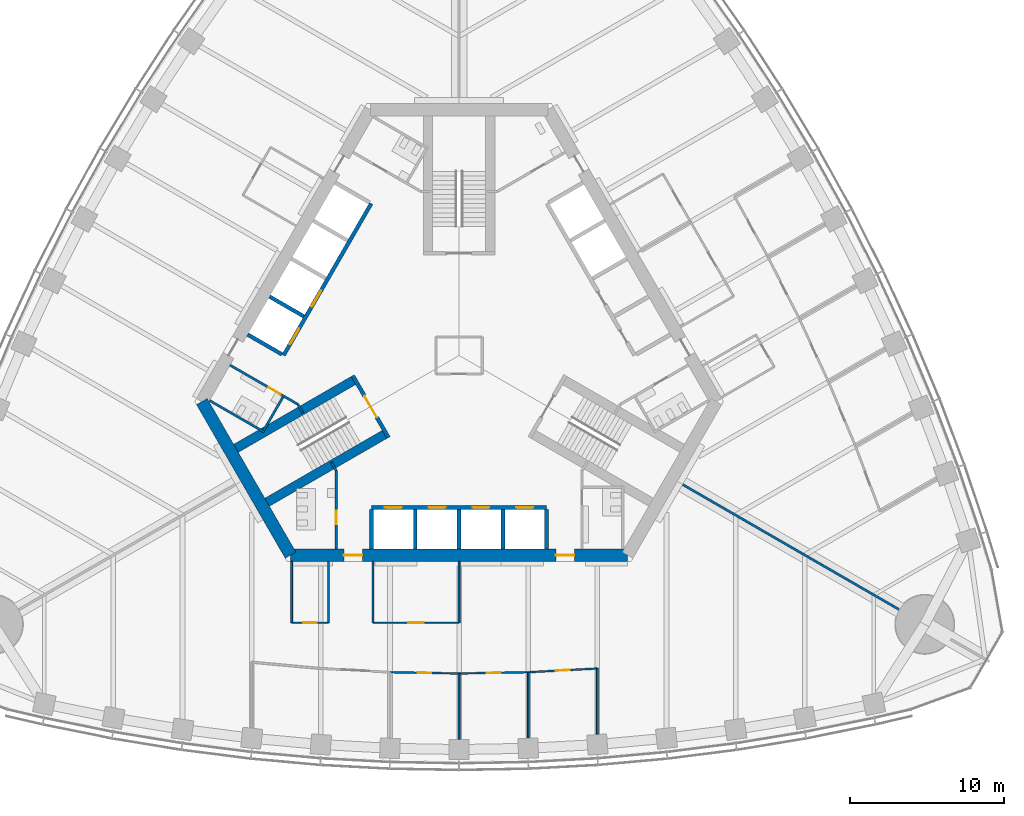
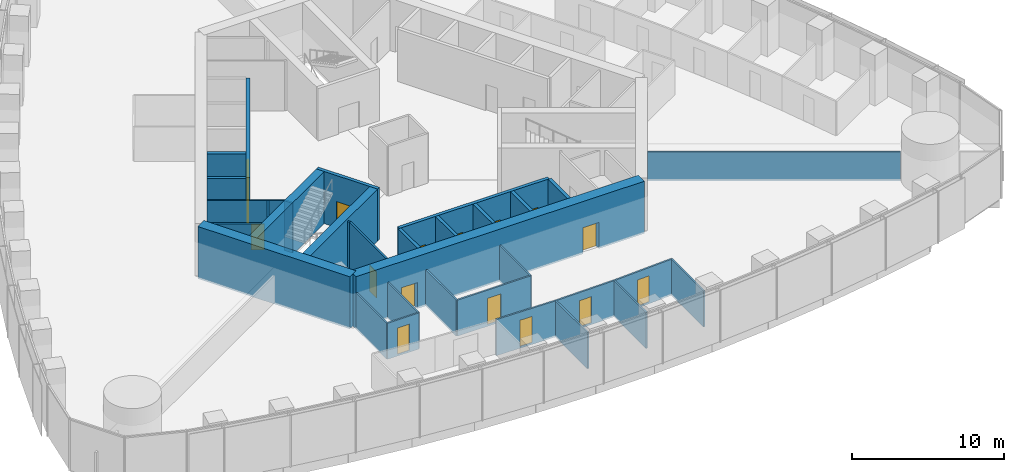
# One storey, part 12 of 19: 33 walls, 16 doors, 16 openings.
"""IFC4 building model written with IfcOpenShell, lengths in metres."""

from ifc_helpers import new_model, si_unit, direction, frame, frame_2d, origin, place, context, subcontext, project, spatial, rectangle, extrude, material, layer, layer_set, type_object, element, fill, save


model = new_model("IFC4")

# Units and contexts
model_context = context("Model", 3, precision=1e-05, world=origin(), true_north=direction((0.0, 1.0)))
body_context = subcontext(model_context, "Body", "Model", "MODEL_VIEW")
ifc_project = project(units=[si_unit("LENGTHUNIT", "METRE"), si_unit("AREAUNIT", "SQUARE_METRE"), si_unit("VOLUMEUNIT", "CUBIC_METRE"), si_unit("PLANEANGLEUNIT", "RADIAN"), si_unit("MASSUNIT", "GRAM", prefix="KILO")], contexts=[model_context])

# Site, building, storey
site_placement = place(None, origin())
site = spatial("IfcSite", under=ifc_project, at=site_placement, CompositionType="ELEMENT")
building_placement = place(site_placement, origin())
building = spatial("IfcBuilding", under=site, at=building_placement, Name="Trefoil Bronze Tower", CompositionType="ELEMENT")
storey_placement = place(building_placement, frame((0.0, 0.0, 124.10009765625)))
storey = spatial("IfcBuildingStorey", under=building, at=storey_placement, Name="L28", CompositionType="ELEMENT", Elevation=124.10009765625)

# Wall, openings, doors
ifc_material_1 = material(Name="Concrete B80", Category="concrete")
ifc_layer_1 = layer(ifc_material_1, 0.800048828125)
ifc_layer_set_1 = layer_set([ifc_layer_1], Name="Core wall 800")
wall_type_1 = type_object("IfcWallType", Name="Core wall 800", PredefinedType="SHEAR", material=ifc_layer_set_1)
wall_1_placement = place(storey_placement, frame((-10.9697265625, -13.0, 0.0), z_axis=(0.0, 0.0, 1.0), x_axis=(1.0, 0.0, 0.0)))
wall_1 = element("IfcWall", 1, at=wall_1_placement, inside=storey, type_object=wall_type_1, Name="Core long wall 1 L28", PredefinedType="SHEAR", context=body_context, shape_type="SweptSolid", body=[
    extrude(rectangle(XDim=21.939453125, YDim=0.800048828125, at=frame_2d((10.9697265625, 0.0))), origin(), (0.0, 0.0, 1.0), 4.199951171875),
])
opening_1_placement = place(wall_1_placement, frame((17.269775390625, 0.0, 0.0)))
opening_1 = element("IfcOpeningElement", 2, at=opening_1_placement, cuts=wall_1, Name="Opening D2", PredefinedType="OPENING", context=body_context, shape_type="SweptSolid", body=[
    extrude(rectangle(XDim=1.199951171875, YDim=2.10009765625, at=frame_2d((0.60009765625, 1.050048828125))), frame((0.0, 0.409912109375, 0.0), z_axis=(0.0, -1.0, 0.0), x_axis=(1.0, 0.0, 0.0)), (0.0, 0.0, 1.0), 0.820068359375),
])
opening_2_placement = place(wall_1_placement, frame((3.4697265625, 0.0, 0.0)))
opening_2 = element("IfcOpeningElement", 3, at=opening_2_placement, cuts=wall_1, Name="Opening D2", PredefinedType="OPENING", context=body_context, shape_type="SweptSolid", body=[
    extrude(rectangle(XDim=1.199951171875, YDim=2.10009765625, at=frame_2d((0.60009765625, 1.050048828125))), frame((0.0, 0.409912109375, 0.0), z_axis=(0.0, -1.0, 0.0), x_axis=(1.0, 0.0, 0.0)), (0.0, 0.0, 1.0), 0.820068359375),
])
ifc_material_2 = material(Name="Steel door", Category="steel")
door_type_1 = type_object("IfcDoorType", Name="Lobby door 1200", OperationType="SINGLE_SWING_RIGHT", PredefinedType="DOOR", material=ifc_material_2)
door_1_placement = place(opening_1_placement, origin())
door_1 = element("IfcDoor", 4, at=door_1_placement, inside=storey, type_object=door_type_1, Name="Lobby door F1+ L28", OperationType="SINGLE_SWING_RIGHT", OverallHeight=2.10009765625, OverallWidth=1.199951171875, PredefinedType="DOOR", context=body_context, shape_type="SweptSolid", body=[
    extrude(rectangle(XDim=1.199951171875, YDim=2.10009765625, at=frame_2d((0.60009765625, 1.050048828125))), frame((0.0, 0.02490234375, 0.0), z_axis=(0.0, -1.0, 0.0), x_axis=(1.0, 0.0, 0.0)), (0.0, 0.0, 1.0), 0.050048828125),
])
fill(opening_1, door_1)
door_2_placement = place(opening_2_placement, origin())
door_2 = element("IfcDoor", 5, at=door_2_placement, inside=storey, type_object=door_type_1, Name="Lobby door F1- L28", OperationType="SINGLE_SWING_LEFT", OverallHeight=2.10009765625, OverallWidth=1.199951171875, PredefinedType="DOOR", context=body_context, shape_type="SweptSolid", body=[
    extrude(rectangle(XDim=1.199951171875, YDim=2.10009765625, at=frame_2d((0.60009765625, 1.050048828125))), frame((0.0, 0.02490234375, 0.0), z_axis=(0.0, -1.0, 0.0), x_axis=(1.0, 0.0, 0.0)), (0.0, 0.0, 1.0), 0.050048828125),
])
fill(opening_2, door_2)

# Wall
wall_2_placement = place(storey_placement, frame((-16.7431640625, -3.0, 0.0), z_axis=(0.0, 0.0, 1.0), x_axis=(0.499995765644, -0.866027848477, 0.0)))
element("IfcWall", 6, at=wall_2_placement, inside=storey, type_object=wall_type_1, Name="Core short wall 3 L28", PredefinedType="SHEAR", context=body_context, shape_type="SweptSolid", body=[
    extrude(rectangle(XDim=11.546875, YDim=0.800048828125, at=frame_2d((5.7734375, 0.0))), origin(), (0.0, 0.0, 1.0), 4.199951171875),
])

# Wall, opening, door
ifc_material_3 = material(Name="Glazed partition", Category="glass")
ifc_layer_2 = layer(ifc_material_3, 0.1201171875)
ifc_layer_set_2 = layer_set([ifc_layer_2], Name="Glazed partition 120")
wall_type_2 = type_object("IfcWallType", Name="Glazed partition 120", PredefinedType="PARTITIONING", material=ifc_layer_set_2)
wall_3_placement = place(storey_placement, frame((-10.89990234375, -17.39990234375, 0.0), z_axis=(0.0, 0.0, 1.0), x_axis=(1.0, 0.0, 0.0)))
wall_3 = element("IfcWall", 7, at=wall_3_placement, inside=storey, type_object=wall_type_2, Name="Partition F1 L28", PredefinedType="PARTITIONING", context=body_context, shape_type="SweptSolid", body=[
    extrude(rectangle(XDim=2.39990234375, YDim=0.1201171875, at=frame_2d((1.199951171875, 0.0))), origin(), (0.0, 0.0, 1.0), 2.89990234375),
])
opening_3_placement = place(wall_3_placement, frame((0.75, 0.0, 0.14990234375)))
opening_3 = element("IfcOpeningElement", 8, at=opening_3_placement, cuts=wall_3, Name="Opening D8", PredefinedType="OPENING", context=body_context, shape_type="SweptSolid", body=[
    extrude(rectangle(XDim=0.89990234375, YDim=2.10009765625, at=frame_2d((0.449951171875, 1.050048828125))), frame((0.0, 0.070068359375, 0.0), z_axis=(0.0, -1.0, 0.0), x_axis=(1.0, 0.0, 0.0)), (0.0, 0.0, 1.0), 0.14013671875),
])
ifc_material_4 = material(Name="Timber door", Category="wood")
door_type_2 = type_object("IfcDoorType", Name="Office door 900", OperationType="SINGLE_SWING_LEFT", PredefinedType="DOOR", material=ifc_material_4)
door_3_placement = place(opening_3_placement, origin())
door_3 = element("IfcDoor", 9, at=door_3_placement, inside=storey, type_object=door_type_2, Name="Comms room door F1 L28", OperationType="SINGLE_SWING_LEFT", OverallHeight=2.10009765625, OverallWidth=0.89990234375, PredefinedType="DOOR", context=body_context, shape_type="SweptSolid", body=[
    extrude(rectangle(XDim=0.89990234375, YDim=2.10009765625, at=frame_2d((0.449951171875, 1.050048828125))), frame((0.0, 0.02490234375, 0.0), z_axis=(0.0, -1.0, 0.0), x_axis=(1.0, 0.0, 0.0)), (0.0, 0.0, 1.0), 0.050048828125),
])
fill(opening_3, door_3)

wall_4_placement = place(storey_placement, frame((-5.60009765625, -17.39990234375, 0.0), z_axis=(0.0, 0.0, 1.0), x_axis=(1.0, 0.0, 0.0)))
wall_4 = element("IfcWall", 10, at=wall_4_placement, inside=storey, type_object=wall_type_2, Name="Partition F1 L28", PredefinedType="PARTITIONING", context=body_context, shape_type="SweptSolid", body=[
    extrude(rectangle(XDim=5.60009765625, YDim=0.1201171875, at=frame_2d((2.800048828125, 0.0))), origin(), (0.0, 0.0, 1.0), 2.89990234375),
])
opening_4_placement = place(wall_4_placement, frame((2.300048828125, 0.0, 0.14990234375)))
opening_4 = element("IfcOpeningElement", 11, at=opening_4_placement, cuts=wall_4, Name="Opening D9", PredefinedType="OPENING", context=body_context, shape_type="SweptSolid", body=[
    extrude(rectangle(XDim=1.0, YDim=2.10009765625, at=frame_2d((0.5, 1.050048828125))), frame((0.0, 0.070068359375, 0.0), z_axis=(0.0, -1.0, 0.0), x_axis=(1.0, 0.0, 0.0)), (0.0, 0.0, 1.0), 0.14013671875),
])
ifc_material_5 = material(Name="Glazed timber door", Category="wood")
door_type_3 = type_object("IfcDoorType", Name="Meeting room door 1000", OperationType="SINGLE_SWING_LEFT", PredefinedType="DOOR", material=ifc_material_5)
door_4_placement = place(opening_4_placement, origin())
door_4 = element("IfcDoor", 12, at=door_4_placement, inside=storey, type_object=door_type_3, Name="Meeting room door F1 L28", OperationType="SINGLE_SWING_LEFT", OverallHeight=2.10009765625, OverallWidth=1.0, PredefinedType="DOOR", context=body_context, shape_type="SweptSolid", body=[
    extrude(rectangle(XDim=1.0, YDim=2.10009765625, at=frame_2d((0.5, 1.050048828125))), frame((0.0, 0.02490234375, 0.0), z_axis=(0.0, -1.0, 0.0), x_axis=(1.0, 0.0, 0.0)), (0.0, 0.0, 1.0), 0.050048828125),
])
fill(opening_4, door_4)

# Walls
for number, where, z_axis, x_axis, name in (
    (13, (0.0, -13.39990234375, 0.0), (0.0, 0.0, 1.0), (0.0, -1.0, 0.0), "Partition F1 L28"),
    (14, (-10.89990234375, -13.39990234375, 0.0), (0.0, 0.0, 1.0), (0.0, -1.0, 0.0), "Partition F1 L28"),
    (15, (-5.60009765625, -13.39990234375, 0.0), (0.0, 0.0, 1.0), (0.0, -1.0, 0.0), "Partition F1 L28"),
    (16, (-8.5, -13.39990234375, 0.0), (0.0, 0.0, 1.0), (0.0, -1.0, 0.0), "Partition F1 L28"),
):
    element("IfcWall", number, at=place(storey_placement, frame(where, z_axis=z_axis, x_axis=x_axis)), inside=storey, type_object=wall_type_2, Name=name, PredefinedType="PARTITIONING", context=body_context, shape_type="SweptSolid", body=[
        extrude(rectangle(XDim=4.0, YDim=0.1201171875, at=frame_2d((2.0, 0.0))), origin(), (0.0, 0.0, 1.0), 2.89990234375),
    ])

# Wall, opening, door
wall_5_placement = place(storey_placement, frame((0.0, -20.69970703125, 0.0), z_axis=(0.0, 0.0, 1.0), x_axis=(0.999837820638, 0.018009231578, 0.0)))
wall_5 = element("IfcWall", 17, at=wall_5_placement, inside=storey, type_object=wall_type_2, Name="Partition F1 L28", PredefinedType="PARTITIONING", context=body_context, shape_type="SweptSolid", body=[
    extrude(rectangle(XDim=4.500732421875, YDim=0.1201171875, at=frame_2d((2.25048828125, 0.0))), origin(), (0.0, 0.0, 1.0), 2.89990234375),
])
opening_5_placement = place(wall_5_placement, frame((1.800048828125, 0.0, 0.14990234375)))
opening_5 = element("IfcOpeningElement", 18, at=opening_5_placement, cuts=wall_5, Name="Opening D8", PredefinedType="OPENING", context=body_context, shape_type="SweptSolid", body=[
    extrude(rectangle(XDim=0.89990234375, YDim=2.10009765625, at=frame_2d((0.449951171875, 1.050048828125))), frame((0.0, 0.070068359375, 0.0), z_axis=(0.0, -1.0, 0.0), x_axis=(1.0, 0.0, 0.0)), (0.0, 0.0, 1.0), 0.14013671875),
])
door_5_placement = place(opening_5_placement, frame((0.89990234375, 0.0, 0.0), z_axis=(0.0, 0.0, 1.0), x_axis=(-1.0, 0.0, 0.0)))
door_5 = element("IfcDoor", 19, at=door_5_placement, inside=storey, type_object=door_type_2, Name="Office door F1 L28", OperationType="SINGLE_SWING_RIGHT", OverallHeight=2.10009765625, OverallWidth=0.89990234375, PredefinedType="DOOR", context=body_context, shape_type="SweptSolid", body=[
    extrude(rectangle(XDim=0.89990234375, YDim=2.10009765625, at=frame_2d((0.449951171875, 1.050048828125))), frame((0.0, 0.02490234375, 0.0), z_axis=(0.0, -1.0, 0.0), x_axis=(1.0, 0.0, 0.0)), (0.0, 0.0, 1.0), 0.050048828125),
])
fill(opening_5, door_5)

wall_6_placement = place(storey_placement, frame((4.5, -20.61865234375, 0.0), z_axis=(0.0, 0.0, 1.0), x_axis=(0.998537376538, 0.054065771581, 0.0)))
wall_6 = element("IfcWall", 20, at=wall_6_placement, inside=storey, type_object=wall_type_2, Name="Partition F1 L28", PredefinedType="PARTITIONING", context=body_context, shape_type="SweptSolid", body=[
    extrude(rectangle(XDim=4.506591796875, YDim=0.1201171875, at=frame_2d((2.25341796875, 0.0))), origin(), (0.0, 0.0, 1.0), 2.89990234375),
])
opening_6_placement = place(wall_6_placement, frame((1.800048828125, 0.0, 0.14990234375)))
opening_6 = element("IfcOpeningElement", 21, at=opening_6_placement, cuts=wall_6, Name="Opening D8", PredefinedType="OPENING", context=body_context, shape_type="SweptSolid", body=[
    extrude(rectangle(XDim=0.89990234375, YDim=2.10009765625, at=frame_2d((0.449951171875, 1.050048828125))), frame((0.0, 0.070068359375, 0.0), z_axis=(0.0, -1.0, 0.0), x_axis=(1.0, 0.0, 0.0)), (0.0, 0.0, 1.0), 0.14013671875),
])
door_6_placement = place(opening_6_placement, frame((0.89990234375, 0.0, 0.0), z_axis=(0.0, 0.0, 1.0), x_axis=(-1.0, 0.0, 0.0)))
door_6 = element("IfcDoor", 22, at=door_6_placement, inside=storey, type_object=door_type_2, Name="Office door F1 L28", OperationType="SINGLE_SWING_RIGHT", OverallHeight=2.10009765625, OverallWidth=0.89990234375, PredefinedType="DOOR", context=body_context, shape_type="SweptSolid", body=[
    extrude(rectangle(XDim=0.89990234375, YDim=2.10009765625, at=frame_2d((0.449951171875, 1.050048828125))), frame((0.0, 0.02490234375, 0.0), z_axis=(0.0, -1.0, 0.0), x_axis=(1.0, 0.0, 0.0)), (0.0, 0.0, 1.0), 0.050048828125),
])
fill(opening_6, door_6)

wall_7_placement = place(storey_placement, frame((-4.5, -20.61865234375, 0.0), z_axis=(0.0, 0.0, 1.0), x_axis=(0.999837820638, -0.018009231578, 0.0)))
wall_7 = element("IfcWall", 23, at=wall_7_placement, inside=storey, type_object=wall_type_2, Name="Partition F1 L28", PredefinedType="PARTITIONING", context=body_context, shape_type="SweptSolid", body=[
    extrude(rectangle(XDim=4.500732421875, YDim=0.1201171875, at=frame_2d((2.25048828125, 0.0))), origin(), (0.0, 0.0, 1.0), 2.89990234375),
])
opening_7_placement = place(wall_7_placement, frame((1.800048828125, 0.0, 0.14990234375)))
opening_7 = element("IfcOpeningElement", 24, at=opening_7_placement, cuts=wall_7, Name="Opening D8", PredefinedType="OPENING", context=body_context, shape_type="SweptSolid", body=[
    extrude(rectangle(XDim=0.89990234375, YDim=2.10009765625, at=frame_2d((0.449951171875, 1.050048828125))), frame((0.0, 0.070068359375, 0.0), z_axis=(0.0, -1.0, 0.0), x_axis=(1.0, 0.0, 0.0)), (0.0, 0.0, 1.0), 0.14013671875),
])
door_7_placement = place(opening_7_placement, frame((0.89990234375, 0.0, 0.0), z_axis=(0.0, 0.0, 1.0), x_axis=(-1.0, 0.0, 0.0)))
door_7 = element("IfcDoor", 25, at=door_7_placement, inside=storey, type_object=door_type_2, Name="Office door F1 L28", OperationType="SINGLE_SWING_RIGHT", OverallHeight=2.10009765625, OverallWidth=0.89990234375, PredefinedType="DOOR", context=body_context, shape_type="SweptSolid", body=[
    extrude(rectangle(XDim=0.89990234375, YDim=2.10009765625, at=frame_2d((0.449951171875, 1.050048828125))), frame((0.0, 0.02490234375, 0.0), z_axis=(0.0, -1.0, 0.0), x_axis=(1.0, 0.0, 0.0)), (0.0, 0.0, 1.0), 0.050048828125),
])
fill(opening_7, door_7)

# Walls
wall_8_placement = place(storey_placement, frame((0.0, -20.69970703125, 0.0), z_axis=(0.0, 0.0, 1.0), x_axis=(0.0, -1.0, 0.0)))
element("IfcWall", 26, at=wall_8_placement, inside=storey, type_object=wall_type_2, Name="Partition F1 L28", PredefinedType="PARTITIONING", context=body_context, shape_type="SweptSolid", body=[
    extrude(rectangle(XDim=4.27001953125, YDim=0.1201171875, at=frame_2d((2.135009765625, 0.0))), origin(), (0.0, 0.0, 1.0), 2.89990234375),
])
wall_9_placement = place(storey_placement, frame((4.5, -20.61865234375, 0.0), z_axis=(0.0, 0.0, 1.0), x_axis=(0.0, -1.0, 0.0)))
element("IfcWall", 27, at=wall_9_placement, inside=storey, type_object=wall_type_2, Name="Partition F1 L28", PredefinedType="PARTITIONING", context=body_context, shape_type="SweptSolid", body=[
    extrude(rectangle(XDim=4.26904296875, YDim=0.1201171875, at=frame_2d((2.134521484375, 0.0))), origin(), (0.0, 0.0, 1.0), 2.89990234375),
])
wall_10_placement = place(storey_placement, frame((9.0, -20.375, 0.0), z_axis=(0.0, 0.0, 1.0), x_axis=(0.0, -1.0, 0.0)))
element("IfcWall", 28, at=wall_10_placement, inside=storey, type_object=wall_type_2, Name="Partition F1 L28", PredefinedType="PARTITIONING", context=body_context, shape_type="SweptSolid", body=[
    extrude(rectangle(XDim=4.26611328125, YDim=0.1201171875, at=frame_2d((2.133056640625, 0.0))), origin(), (0.0, 0.0, 1.0), 2.89990234375),
])

# Wall, opening, door
ifc_material_6 = material(Name="Gypsum board on steel studs", Category="steel")
ifc_layer_3 = layer(ifc_material_6, 0.14990234375)
ifc_layer_set_3 = layer_set([ifc_layer_3], Name="Partition 150")
wall_type_3 = type_object("IfcWallType", Name="Partition 150", PredefinedType="PARTITIONING", material=ifc_layer_set_3)
wall_11_placement = place(storey_placement, frame((-8.0, -7.5, 0.0), z_axis=(0.0, 0.0, 1.0), x_axis=(0.0, -1.0, 0.0)))
wall_11 = element("IfcWall", 29, at=wall_11_placement, inside=storey, type_object=wall_type_3, Name="Passage wall F1- L28", PredefinedType="PARTITIONING", context=body_context, shape_type="SweptSolid", body=[
    extrude(rectangle(XDim=5.10009765625, YDim=0.14990234375, at=frame_2d((2.550048828125, 0.0))), origin(), (0.0, 0.0, 1.0), 4.0),
])
opening_8_placement = place(wall_11_placement, frame((2.60009765625, 0.0, 0.0)))
opening_8 = element("IfcOpeningElement", 30, at=opening_8_placement, cuts=wall_11, Name="Opening D3", PredefinedType="OPENING", context=body_context, shape_type="SweptSolid", body=[
    extrude(rectangle(XDim=0.89990234375, YDim=2.10009765625, at=frame_2d((0.449951171875, 1.050048828125))), frame((0.0, 0.0849609375, 0.0), z_axis=(0.0, -1.0, 0.0), x_axis=(1.0, 0.0, 0.0)), (0.0, 0.0, 1.0), 0.169921875),
])
ifc_material_7 = material(Name="Timber door", Category="wood")
door_type_4 = type_object("IfcDoorType", Name="WC door 900", OperationType="SINGLE_SWING_LEFT", PredefinedType="DOOR", material=ifc_material_7)
door_8_placement = place(opening_8_placement, frame((0.89990234375, 0.0, 0.0), z_axis=(0.0, 0.0, 1.0), x_axis=(-1.0, 0.0, 0.0)))
door_8 = element("IfcDoor", 31, at=door_8_placement, inside=storey, type_object=door_type_4, Name="WC (women) door L28", OperationType="SINGLE_SWING_LEFT", OverallHeight=2.10009765625, OverallWidth=0.89990234375, PredefinedType="DOOR", context=body_context, shape_type="SweptSolid", body=[
    extrude(rectangle(XDim=0.89990234375, YDim=2.10009765625, at=frame_2d((0.449951171875, 1.050048828125))), frame((0.0, 0.02490234375, 0.0), z_axis=(0.0, -1.0, 0.0), x_axis=(1.0, 0.0, 0.0)), (0.0, 0.0, 1.0), 0.050048828125),
])
fill(opening_8, door_8)

wall_12_placement = place(storey_placement, frame((-10.4951171875, -3.17822265625, 0.0), z_axis=(0.0, 0.0, 1.0), x_axis=(-0.86602216432, 0.500005610874, 0.0)))
wall_12 = element("IfcWall", 32, at=wall_12_placement, inside=storey, type_object=wall_type_3, Name="Passage wall F3+ L28", PredefinedType="PARTITIONING", context=body_context, shape_type="SweptSolid", body=[
    extrude(rectangle(XDim=5.10009765625, YDim=0.14990234375, at=frame_2d((2.550048828125, 0.0))), origin(), (0.0, 0.0, 1.0), 4.0),
])
opening_9_placement = place(wall_12_placement, frame((1.300048828125, 0.0, 0.0)))
opening_9 = element("IfcOpeningElement", 33, at=opening_9_placement, cuts=wall_12, Name="Opening D3", PredefinedType="OPENING", context=body_context, shape_type="SweptSolid", body=[
    extrude(rectangle(XDim=0.89990234375, YDim=2.10009765625, at=frame_2d((0.449951171875, 1.050048828125))), frame((0.0, 0.0849609375, 0.0), z_axis=(0.0, -1.0, 0.0), x_axis=(1.0, 0.0, 0.0)), (0.0, 0.0, 1.0), 0.169921875),
])
door_9_placement = place(opening_9_placement, origin())
door_9 = element("IfcDoor", 34, at=door_9_placement, inside=storey, type_object=door_type_4, Name="WC (men) door L28", OperationType="SINGLE_SWING_LEFT", OverallHeight=2.10009765625, OverallWidth=0.89990234375, PredefinedType="DOOR", context=body_context, shape_type="SweptSolid", body=[
    extrude(rectangle(XDim=0.89990234375, YDim=2.10009765625, at=frame_2d((0.449951171875, 1.050048828125))), frame((0.0, 0.02490234375, 0.0), z_axis=(0.0, -1.0, 0.0), x_axis=(1.0, 0.0, 0.0)), (0.0, 0.0, 1.0), 0.050048828125),
])
fill(opening_9, door_9)

# Walls
for number, where, z_axis, x_axis, name in (
    (35, (-10.4951171875, -3.17822265625, 0.0), (0.0, 0.0, 1.0), (0.499842556608, -0.866116284689, 0.0), "WC wall ST3-1 L28"),
    (36, (-8.0, -7.5, 0.0), (0.0, 0.0, 1.0), (-0.499842556608, 0.866116284689, 0.0), "WC wall ST3+1 L28"),
):
    element("IfcWall", number, at=place(storey_placement, frame(where, z_axis=z_axis, x_axis=x_axis)), inside=storey, type_object=wall_type_3, Name=name, PredefinedType="PARTITIONING", context=body_context, shape_type="SweptSolid", body=[
        extrude(rectangle(XDim=0.645263671875, YDim=0.14990234375, at=frame_2d((0.32275390625, 0.0))), origin(), (0.0, 0.0, 1.0), 4.0),
    ])
wall_13_placement = place(storey_placement, frame((-12.691162109375, -4.98193359375, 0.0), z_axis=(0.0, 0.0, 1.0), x_axis=(-0.8660249478, 0.500000789788, 0.0)))
element("IfcWall", 37, at=wall_13_placement, inside=storey, type_object=wall_type_3, Name="WC partition WC (men) L28", PredefinedType="PARTITIONING", context=body_context, shape_type="SweptSolid", body=[
    extrude(rectangle(XDim=4.10009765625, YDim=0.14990234375, at=frame_2d((2.050048828125, 0.0))), origin(), (0.0, 0.0, 1.0), 4.0),
])
wall_14_placement = place(storey_placement, frame((-11.463623046875, -2.70556640625, 0.0), z_axis=(0.0, 0.0, 1.0), x_axis=(-0.50001992892, -0.866013897511, 0.0)))
element("IfcWall", 38, at=wall_14_placement, inside=storey, type_object=wall_type_3, Name="WC partition WC (men) L28", PredefinedType="PARTITIONING", context=body_context, shape_type="SweptSolid", body=[
    extrude(rectangle(XDim=2.51025390625, YDim=0.14990234375, at=frame_2d((1.255126953125, 0.0))), origin(), (0.0, 0.0, 1.0), 4.0),
])
ifc_material_8 = material(Name="Gypsum board on steel studs", Category="steel")
ifc_layer_4 = layer(ifc_material_8, 0.14990234375)
ifc_layer_set_4 = layer_set([ifc_layer_4], Name="Party wall 150")
wall_type_4 = type_object("IfcWallType", Name="Party wall 150", PredefinedType="PARTITIONING", material=ifc_layer_set_4)
wall_15_placement = place(storey_placement, frame((14.202880859375, -8.199951171875, 0.0), z_axis=(0.0, 0.0, 1.0), x_axis=(0.866024668836, -0.500001272966, 0.0)))
element("IfcWall", 39, at=wall_15_placement, inside=storey, type_object=wall_type_4, Name="Party wall K1 L28", PredefinedType="PARTITIONING", context=body_context, shape_type="SweptSolid", body=[
    extrude(rectangle(XDim=16.64990234375, YDim=0.14990234375, at=frame_2d((8.324951171875, 0.0))), origin(), (0.0, 0.0, 1.0), 2.2998046875),
])

# Wall, openings, doors
ifc_material_9 = material(Name="Concrete B80", Category="concrete")
ifc_layer_5 = layer(ifc_material_9, 0.25)
ifc_layer_set_5 = layer_set([ifc_layer_5], Name="Shaft wall 250")
wall_type_5 = type_object("IfcWallType", Name="Shaft wall 250", PredefinedType="SHEAR", material=ifc_layer_set_5)
wall_16_placement = place(storey_placement, frame((-5.699951171875, -9.89990234375, 0.0), z_axis=(0.0, 0.0, 1.0), x_axis=(1.0, 0.0, 0.0)))
wall_16 = element("IfcWall", 40, at=wall_16_placement, inside=storey, type_object=wall_type_5, Name="Lift shaft front wall A L28", PredefinedType="SHEAR", context=body_context, shape_type="SweptSolid", body=[
    extrude(rectangle(XDim=11.39990234375, YDim=0.25, at=frame_2d((5.699951171875, 0.0))), origin(), (0.0, 0.0, 1.0), 4.199951171875),
])
opening_10_placement = place(wall_16_placement, frame((0.875, 0.0, 0.0)))
opening_10 = element("IfcOpeningElement", 41, at=opening_10_placement, cuts=wall_16, Name="Opening LD-P21", PredefinedType="OPENING", context=body_context, shape_type="SweptSolid", body=[
    extrude(rectangle(XDim=1.10009765625, YDim=2.199951171875, at=frame_2d((0.550048828125, 1.10009765625))), frame((0.0, 0.135009765625, 0.0), z_axis=(0.0, -1.0, 0.0), x_axis=(1.0, 0.0, 0.0)), (0.0, 0.0, 1.0), 0.27001953125),
])
opening_11_placement = place(wall_16_placement, frame((3.72509765625, 0.0, 0.0)))
opening_11 = element("IfcOpeningElement", 42, at=opening_11_placement, cuts=wall_16, Name="Opening LD-P22", PredefinedType="OPENING", context=body_context, shape_type="SweptSolid", body=[
    extrude(rectangle(XDim=1.10009765625, YDim=2.199951171875, at=frame_2d((0.550048828125, 1.10009765625))), frame((0.0, 0.135009765625, 0.0), z_axis=(0.0, -1.0, 0.0), x_axis=(1.0, 0.0, 0.0)), (0.0, 0.0, 1.0), 0.27001953125),
])
opening_12_placement = place(wall_16_placement, frame((6.574951171875, 0.0, 0.0)))
opening_12 = element("IfcOpeningElement", 43, at=opening_12_placement, cuts=wall_16, Name="Opening LD-P23", PredefinedType="OPENING", context=body_context, shape_type="SweptSolid", body=[
    extrude(rectangle(XDim=1.10009765625, YDim=2.199951171875, at=frame_2d((0.550048828125, 1.10009765625))), frame((0.0, 0.135009765625, 0.0), z_axis=(0.0, -1.0, 0.0), x_axis=(1.0, 0.0, 0.0)), (0.0, 0.0, 1.0), 0.27001953125),
])
opening_13_placement = place(wall_16_placement, frame((9.425048828125, 0.0, 0.0)))
opening_13 = element("IfcOpeningElement", 44, at=opening_13_placement, cuts=wall_16, Name="Opening LD-P24", PredefinedType="OPENING", context=body_context, shape_type="SweptSolid", body=[
    extrude(rectangle(XDim=1.10009765625, YDim=2.199951171875, at=frame_2d((0.550048828125, 1.10009765625))), frame((0.0, 0.135009765625, 0.0), z_axis=(0.0, -1.0, 0.0), x_axis=(1.0, 0.0, 0.0)), (0.0, 0.0, 1.0), 0.27001953125),
])
ifc_material_10 = material(Name="Steel door", Category="steel")
door_type_5 = type_object("IfcDoorType", Name="Lift landing door 1100", OperationType="DOUBLE_DOOR_SLIDING", PredefinedType="DOOR", material=ifc_material_10)
door_10_placement = place(opening_10_placement, origin())
door_10 = element("IfcDoor", 45, at=door_10_placement, inside=storey, type_object=door_type_5, Name="Lift P21 landing door L28", OperationType="DOUBLE_DOOR_SLIDING", OverallHeight=2.199951171875, OverallWidth=1.10009765625, PredefinedType="DOOR", context=body_context, shape_type="SweptSolid", body=[
    extrude(rectangle(XDim=1.10009765625, YDim=2.199951171875, at=frame_2d((0.550048828125, 1.10009765625))), frame((0.0, 0.02490234375, 0.0), z_axis=(0.0, -1.0, 0.0), x_axis=(1.0, 0.0, 0.0)), (0.0, 0.0, 1.0), 0.050048828125),
])
fill(opening_10, door_10)
door_11_placement = place(opening_11_placement, origin())
door_11 = element("IfcDoor", 46, at=door_11_placement, inside=storey, type_object=door_type_5, Name="Lift P22 landing door L28", OperationType="DOUBLE_DOOR_SLIDING", OverallHeight=2.199951171875, OverallWidth=1.10009765625, PredefinedType="DOOR", context=body_context, shape_type="SweptSolid", body=[
    extrude(rectangle(XDim=1.10009765625, YDim=2.199951171875, at=frame_2d((0.550048828125, 1.10009765625))), frame((0.0, 0.02490234375, 0.0), z_axis=(0.0, -1.0, 0.0), x_axis=(1.0, 0.0, 0.0)), (0.0, 0.0, 1.0), 0.050048828125),
])
fill(opening_11, door_11)
door_12_placement = place(opening_12_placement, origin())
door_12 = element("IfcDoor", 47, at=door_12_placement, inside=storey, type_object=door_type_5, Name="Lift P23 landing door L28", OperationType="DOUBLE_DOOR_SLIDING", OverallHeight=2.199951171875, OverallWidth=1.10009765625, PredefinedType="DOOR", context=body_context, shape_type="SweptSolid", body=[
    extrude(rectangle(XDim=1.10009765625, YDim=2.199951171875, at=frame_2d((0.550048828125, 1.10009765625))), frame((0.0, 0.02490234375, 0.0), z_axis=(0.0, -1.0, 0.0), x_axis=(1.0, 0.0, 0.0)), (0.0, 0.0, 1.0), 0.050048828125),
])
fill(opening_12, door_12)
door_13_placement = place(opening_13_placement, origin())
door_13 = element("IfcDoor", 48, at=door_13_placement, inside=storey, type_object=door_type_5, Name="Lift P24 landing door L28", OperationType="DOUBLE_DOOR_SLIDING", OverallHeight=2.199951171875, OverallWidth=1.10009765625, PredefinedType="DOOR", context=body_context, shape_type="SweptSolid", body=[
    extrude(rectangle(XDim=1.10009765625, YDim=2.199951171875, at=frame_2d((0.550048828125, 1.10009765625))), frame((0.0, 0.02490234375, 0.0), z_axis=(0.0, -1.0, 0.0), x_axis=(1.0, 0.0, 0.0)), (0.0, 0.0, 1.0), 0.050048828125),
])
fill(opening_13, door_13)

# Walls
for number, where, z_axis, x_axis, name in (
    (49, (-5.699951171875, -10.02490234375, 0.0), (0.0, 0.0, 1.0), (0.0, -1.0, 0.0), "Lift shaft side wall A0 L28"),
    (50, (-2.85009765625, -10.02490234375, 0.0), (0.0, 0.0, 1.0), (0.0, -1.0, 0.0), "Lift shaft side wall A1 L28"),
    (51, (0.0, -10.02490234375, 0.0), (0.0, 0.0, 1.0), (0.0, -1.0, 0.0), "Lift shaft side wall A2 L28"),
    (52, (2.85009765625, -10.02490234375, 0.0), (0.0, 0.0, 1.0), (0.0, -1.0, 0.0), "Lift shaft side wall A3 L28"),
    (53, (5.699951171875, -10.02490234375, 0.0), (0.0, 0.0, 1.0), (0.0, -1.0, 0.0), "Lift shaft side wall A4 L28"),
):
    element("IfcWall", number, at=place(storey_placement, frame(where, z_axis=z_axis, x_axis=x_axis)), inside=storey, type_object=wall_type_5, Name=name, PredefinedType="SHEAR", context=body_context, shape_type="SweptSolid", body=[
        extrude(rectangle(XDim=2.5751953125, YDim=0.25, at=frame_2d((1.28759765625, 0.0))), origin(), (0.0, 0.0, 1.0), 4.199951171875),
    ])

# Wall, openings, doors
wall_17_placement = place(storey_placement, frame((-5.7236328125, 9.88623046875, 0.0), z_axis=(0.0, 0.0, 1.0), x_axis=(-0.500001763848, -0.866024385424, 0.0)))
wall_17 = element("IfcWall", 54, at=wall_17_placement, inside=storey, type_object=wall_type_5, Name="Lift shaft front wall C L28", PredefinedType="SHEAR", context=body_context, shape_type="SweptSolid", body=[
    extrude(rectangle(XDim=11.39990234375, YDim=0.25, at=frame_2d((5.699951171875, 0.0))), origin(), (0.0, 0.0, 1.0), 4.199951171875),
])
opening_14_placement = place(wall_17_placement, frame((6.52490234375, 0.0, 0.0)))
opening_14 = element("IfcOpeningElement", 55, at=opening_14_placement, cuts=wall_17, Name="Opening LD-FL1", PredefinedType="OPENING", context=body_context, shape_type="SweptSolid", body=[
    extrude(rectangle(XDim=1.199951171875, YDim=2.199951171875, at=frame_2d((0.60009765625, 1.10009765625))), frame((0.0, 0.135009765625, 0.0), z_axis=(0.0, -1.0, 0.0), x_axis=(1.0, 0.0, 0.0)), (0.0, 0.0, 1.0), 0.27001953125),
])
opening_15_placement = place(wall_17_placement, frame((9.375, 0.0, 0.0)))
opening_15 = element("IfcOpeningElement", 56, at=opening_15_placement, cuts=wall_17, Name="Opening LD-FL2", PredefinedType="OPENING", context=body_context, shape_type="SweptSolid", body=[
    extrude(rectangle(XDim=1.199951171875, YDim=2.199951171875, at=frame_2d((0.60009765625, 1.10009765625))), frame((0.0, 0.135009765625, 0.0), z_axis=(0.0, -1.0, 0.0), x_axis=(1.0, 0.0, 0.0)), (0.0, 0.0, 1.0), 0.27001953125),
])
ifc_material_11 = material(Name="Steel door", Category="steel")
door_type_6 = type_object("IfcDoorType", Name="Lift landing door 1200", OperationType="DOUBLE_DOOR_SLIDING", PredefinedType="DOOR", material=ifc_material_11)
door_14_placement = place(opening_14_placement, origin())
door_14 = element("IfcDoor", 57, at=door_14_placement, inside=storey, type_object=door_type_6, Name="Lift FL1 landing door L28", OperationType="DOUBLE_DOOR_SLIDING", OverallHeight=2.199951171875, OverallWidth=1.199951171875, PredefinedType="DOOR", context=body_context, shape_type="SweptSolid", body=[
    extrude(rectangle(XDim=1.199951171875, YDim=2.199951171875, at=frame_2d((0.60009765625, 1.10009765625))), frame((0.0, 0.02490234375, 0.0), z_axis=(0.0, -1.0, 0.0), x_axis=(1.0, 0.0, 0.0)), (0.0, 0.0, 1.0), 0.050048828125),
])
fill(opening_14, door_14)
door_15_placement = place(opening_15_placement, origin())
door_15 = element("IfcDoor", 58, at=door_15_placement, inside=storey, type_object=door_type_6, Name="Lift FL2 landing door L28", OperationType="DOUBLE_DOOR_SLIDING", OverallHeight=2.199951171875, OverallWidth=1.199951171875, PredefinedType="DOOR", context=body_context, shape_type="SweptSolid", body=[
    extrude(rectangle(XDim=1.199951171875, YDim=2.199951171875, at=frame_2d((0.60009765625, 1.10009765625))), frame((0.0, 0.02490234375, 0.0), z_axis=(0.0, -1.0, 0.0), x_axis=(1.0, 0.0, 0.0)), (0.0, 0.0, 1.0), 0.050048828125),
])
fill(opening_15, door_15)

# Walls
for number, where, z_axis, x_axis, name in (
    (59, (-10.10693359375, 2.54443359375, 0.0), (0.0, 0.0, 1.0), (-0.866046643894, 0.499963209246, 0.0), "Lift shaft side wall C3 L28"),
    (60, (-11.531982421875, 0.076171875, 0.0), (0.0, 0.0, 1.0), (-0.866005588531, 0.500034319456, 0.0), "Lift shaft side wall C4 L28"),
):
    element("IfcWall", number, at=place(storey_placement, frame(where, z_axis=z_axis, x_axis=x_axis)), inside=storey, type_object=wall_type_5, Name=name, PredefinedType="SHEAR", context=body_context, shape_type="SweptSolid", body=[
        extrude(rectangle(XDim=2.574951171875, YDim=0.25, at=frame_2d((1.28759765625, 0.0))), origin(), (0.0, 0.0, 1.0), 4.199951171875),
    ])

# Wall, opening, door
wall_18_placement = place(storey_placement, frame((-6.921630859375, -1.3115234375, 0.0), z_axis=(0.0, 0.0, 1.0), x_axis=(0.499984536904, -0.866034331223, 0.0)))
wall_18 = element("IfcWall", 61, at=wall_18_placement, inside=storey, type_object=wall_type_5, Name="Stair end wall ST3 L28", PredefinedType="SHEAR", context=body_context, shape_type="SweptSolid", body=[
    extrude(rectangle(XDim=4.650146484375, YDim=0.25, at=frame_2d((2.3251953125, 0.0))), origin(), (0.0, 0.0, 1.0), 4.199951171875),
])
opening_16_placement = place(wall_18_placement, frame((1.52490234375, 0.0, 0.0)))
opening_16 = element("IfcOpeningElement", 62, at=opening_16_placement, cuts=wall_18, Name="Opening D1", PredefinedType="OPENING", context=body_context, shape_type="SweptSolid", body=[
    extrude(rectangle(XDim=1.60009765625, YDim=2.10009765625, at=frame_2d((0.800048828125, 1.050048828125))), frame((0.0, 0.135009765625, 0.0), z_axis=(0.0, -1.0, 0.0), x_axis=(1.0, 0.0, 0.0)), (0.0, 0.0, 1.0), 0.27001953125),
])
ifc_material_12 = material(Name="Steel door", Category="steel")
door_type_7 = type_object("IfcDoorType", Name="Stair door 1600", OperationType="DOUBLE_DOOR_SINGLE_SWING", PredefinedType="DOOR", material=ifc_material_12)
door_16_placement = place(opening_16_placement, frame((1.60009765625, 0.0, 0.0), z_axis=(0.0, 0.0, 1.0), x_axis=(-1.0, 0.0, 0.0)))
door_16 = element("IfcDoor", 63, at=door_16_placement, inside=storey, type_object=door_type_7, Name="Stair door ST3 L28", OperationType="DOUBLE_DOOR_SINGLE_SWING", OverallHeight=2.10009765625, OverallWidth=1.60009765625, PredefinedType="DOOR", context=body_context, shape_type="SweptSolid", body=[
    extrude(rectangle(XDim=1.60009765625, YDim=2.10009765625, at=frame_2d((0.800048828125, 1.050048828125))), frame((0.0, 0.02490234375, 0.0), z_axis=(0.0, -1.0, 0.0), x_axis=(1.0, 0.0, 0.0)), (0.0, 0.0, 1.0), 0.050048828125),
])
fill(opening_16, door_16)

# Walls
ifc_material_13 = material(Name="Concrete B80", Category="concrete")
ifc_layer_6 = layer(ifc_material_13, 0.60009765625)
ifc_layer_set_6 = layer_set([ifc_layer_6], Name="Stair wall 600")
wall_type_6 = type_object("IfcWallType", Name="Stair wall 600", PredefinedType="SHEAR", material=ifc_layer_set_6)
for number, where, z_axis, x_axis, name in (
    (64, (-6.663330078125, -1.5087890625, 0.0), (0.0, 0.0, 1.0), (-0.866019375473, -0.500010441196, 0.0), "Stair wall ST3 L28"),
    (65, (-4.638427734375, -5.01611328125, 0.0), (0.0, 0.0, 1.0), (-0.866019375473, -0.500010441196, 0.0), "Stair wall ST3 L28"),
):
    element("IfcWall", number, at=place(storey_placement, frame(where, z_axis=z_axis, x_axis=x_axis)), inside=storey, type_object=wall_type_6, Name=name, PredefinedType="SHEAR", context=body_context, shape_type="SweptSolid", body=[
        extrude(rectangle(XDim=9.074951171875, YDim=0.60009765625, at=frame_2d((4.53759765625, 0.0))), origin(), (0.0, 0.0, 1.0), 4.199951171875),
    ])

save(model, "model.ifc")
